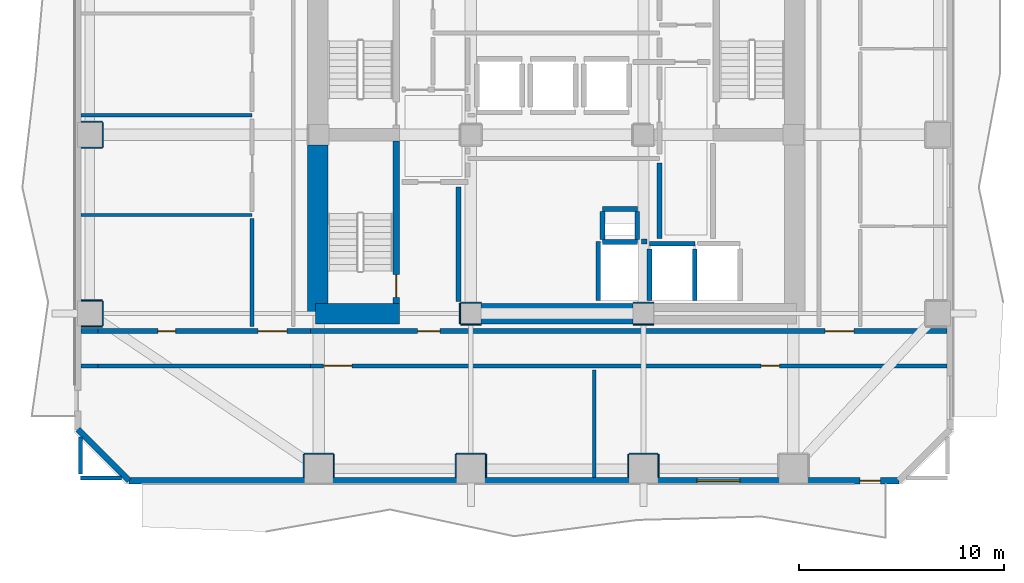
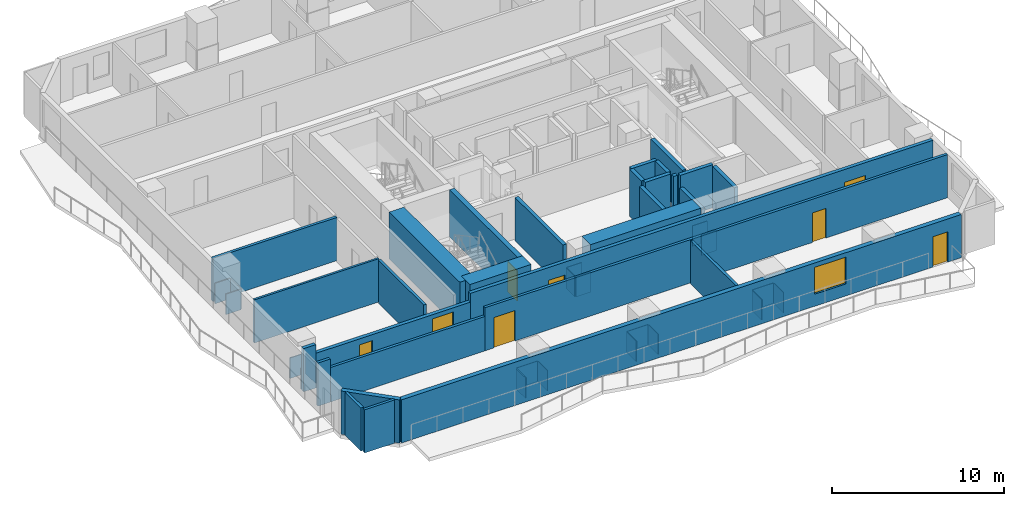
# One storey, part 2 of 10: 49 walls, 8 doors, 1 window, 9 openings.
"""IFC4 building model written with IfcOpenShell, lengths in metres."""

from ifc_helpers import new_model, si_unit, direction, frame, frame_2d, origin, place, context, subcontext, project, spatial, rectangle, extrude, material, layer, layer_set, type_object, element, fill, save


model = new_model("IFC4")

# Units and contexts
model_context = context("Model", 3, precision=1e-05, world=origin(), true_north=direction((0.0, 1.0)))
body_context = subcontext(model_context, "Body", "Model", "MODEL_VIEW")
ifc_project = project(units=[si_unit("LENGTHUNIT", "METRE"), si_unit("AREAUNIT", "SQUARE_METRE"), si_unit("VOLUMEUNIT", "CUBIC_METRE"), si_unit("PLANEANGLEUNIT", "RADIAN"), si_unit("MASSUNIT", "GRAM", prefix="KILO")], contexts=[model_context])

# Site, building, storey
site_placement = place(None, origin())
site = spatial("IfcSite", under=ifc_project, at=site_placement, CompositionType="ELEMENT")
building_placement = place(site_placement, origin())
building = spatial("IfcBuilding", under=site, at=building_placement, Name="Solanera Arch Residences", CompositionType="ELEMENT")
storey_placement = place(building_placement, frame((0.0, 0.0, 92.800048828125)))
storey = spatial("IfcBuildingStorey", under=building, at=storey_placement, Name="L26", CompositionType="ELEMENT", Elevation=92.800048828125)

# Walls
ifc_material_1 = material(Name="Fire-Rated Gypsum Stud Partition", Category="gypsum")
ifc_layer_1 = layer(ifc_material_1, 0.06005859375)
ifc_layer_set_1 = layer_set([ifc_layer_1], Name="Fire-Rated Gypsum Stud Partition")
wall_type_1 = type_object("IfcWallType", Name="Column Acoustic Furring Wall 60", PredefinedType="PARTITIONING", material=ifc_layer_set_1)
for number, where, z_axis, x_axis, name in (
    (1, (20.300048828125, 21.468017578125, 0.0), (0.0, 0.0, 1.0), (1.0, 0.0, 0.0), "L26 Column Furring 1S"),
    (2, (20.300048828125, 22.531982421875, 0.0), (0.0, 0.0, 1.0), (1.0, 0.0, 0.0), "L26 Column Furring 1N"),
    (3, (20.26806640625, 21.5, 0.0), (0.0, 0.0, 1.0), (0.0, 1.0, 0.0), "L26 Column Furring 1W"),
    (4, (28.699951171875, 21.468017578125, 0.0), (0.0, 0.0, 1.0), (1.0, 0.0, 0.0), "L26 Column Furring 2S"),
    (5, (28.699951171875, 22.531982421875, 0.0), (0.0, 0.0, 1.0), (1.0, 0.0, 0.0), "L26 Column Furring 2N"),
):
    element("IfcWall", number, at=place(storey_placement, frame(where, z_axis=z_axis, x_axis=x_axis)), inside=storey, type_object=wall_type_1, Name=name, PredefinedType="PARTITIONING", context=body_context, shape_type="SweptSolid", body=[
        extrude(rectangle(XDim=1.0, YDim=0.06005859375, at=frame_2d((0.5, 0.0))), origin(), (0.0, 0.0, 1.0), 1.449951171875),
    ])
wall_1_placement = place(storey_placement, frame((12.699951171875, 15.181884765625, 0.0), z_axis=(0.0, 0.0, 1.0), x_axis=(1.0, 0.0, 0.0)))
element("IfcWall", 6, at=wall_1_placement, inside=storey, type_object=wall_type_1, Name="L26 Column Furring 9N", PredefinedType="PARTITIONING", context=body_context, shape_type="SweptSolid", body=[
    extrude(rectangle(XDim=1.400146484375, YDim=0.06005859375, at=frame_2d((0.7001953125, 0.0))), origin(), (0.0, 0.0, 1.0), 1.449951171875),
])
for number, where, z_axis, x_axis, name in (
    (7, (12.66796875, 14.030029296875, 0.0), (0.0, 0.0, 1.0), (0.0, 1.0, 0.0), "L26 Column Furring 9W"),
    (8, (14.132080078125, 14.030029296875, 0.0), (0.0, 0.0, 1.0), (0.0, 1.0, 0.0), "L26 Column Furring 9E"),
):
    element("IfcWall", number, at=place(storey_placement, frame(where, z_axis=z_axis, x_axis=x_axis)), inside=storey, type_object=wall_type_1, Name=name, PredefinedType="PARTITIONING", context=body_context, shape_type="SweptSolid", body=[
        extrude(rectangle(XDim=1.119873046875, YDim=0.06005859375, at=frame_2d((0.56005859375, 0.0))), origin(), (0.0, 0.0, 1.0), 1.449951171875),
    ])
wall_2_placement = place(storey_placement, frame((20.10009765625, 15.181884765625, 0.0), z_axis=(0.0, 0.0, 1.0), x_axis=(1.0, 0.0, 0.0)))
element("IfcWall", 9, at=wall_2_placement, inside=storey, type_object=wall_type_1, Name="L26 Column Furring 11N", PredefinedType="PARTITIONING", context=body_context, shape_type="SweptSolid", body=[
    extrude(rectangle(XDim=1.39990234375, YDim=0.06005859375, at=frame_2d((0.699951171875, 0.0))), origin(), (0.0, 0.0, 1.0), 1.449951171875),
])
for number, where, z_axis, x_axis, name in (
    (10, (20.068115234375, 14.030029296875, 0.0), (0.0, 0.0, 1.0), (0.0, 1.0, 0.0), "L26 Column Furring 11W"),
    (11, (21.531982421875, 14.030029296875, 0.0), (0.0, 0.0, 1.0), (0.0, 1.0, 0.0), "L26 Column Furring 11E"),
):
    element("IfcWall", number, at=place(storey_placement, frame(where, z_axis=z_axis, x_axis=x_axis)), inside=storey, type_object=wall_type_1, Name=name, PredefinedType="PARTITIONING", context=body_context, shape_type="SweptSolid", body=[
        extrude(rectangle(XDim=1.119873046875, YDim=0.06005859375, at=frame_2d((0.56005859375, 0.0))), origin(), (0.0, 0.0, 1.0), 1.449951171875),
    ])
wall_3_placement = place(storey_placement, frame((28.5, 15.181884765625, 0.0), z_axis=(0.0, 0.0, 1.0), x_axis=(1.0, 0.0, 0.0)))
element("IfcWall", 12, at=wall_3_placement, inside=storey, type_object=wall_type_1, Name="L26 Column Furring 13N", PredefinedType="PARTITIONING", context=body_context, shape_type="SweptSolid", body=[
    extrude(rectangle(XDim=1.39990234375, YDim=0.06005859375, at=frame_2d((0.699951171875, 0.0))), origin(), (0.0, 0.0, 1.0), 1.449951171875),
])
for number, where, z_axis, x_axis, name in (
    (13, (28.468017578125, 14.030029296875, 0.0), (0.0, 0.0, 1.0), (0.0, 1.0, 0.0), "L26 Column Furring 13W"),
    (14, (29.931884765625, 14.030029296875, 0.0), (0.0, 0.0, 1.0), (0.0, 1.0, 0.0), "L26 Column Furring 13E"),
):
    element("IfcWall", number, at=place(storey_placement, frame(where, z_axis=z_axis, x_axis=x_axis)), inside=storey, type_object=wall_type_1, Name=name, PredefinedType="PARTITIONING", context=body_context, shape_type="SweptSolid", body=[
        extrude(rectangle(XDim=1.119873046875, YDim=0.06005859375, at=frame_2d((0.56005859375, 0.0))), origin(), (0.0, 0.0, 1.0), 1.449951171875),
    ])
for number, where, z_axis, x_axis, name in (
    (15, (1.830078125, 21.367919921875, 0.0), (0.0, 0.0, 1.0), (1.0, 0.0, 0.0), "L26 Column Furring 17S"),
    (16, (1.830078125, 22.632080078125, 0.0), (0.0, 0.0, 1.0), (1.0, 0.0, 0.0), "L26 Column Furring 17N"),
):
    element("IfcWall", number, at=place(storey_placement, frame(where, z_axis=z_axis, x_axis=x_axis)), inside=storey, type_object=wall_type_1, Name=name, PredefinedType="PARTITIONING", context=body_context, shape_type="SweptSolid", body=[
        extrude(rectangle(XDim=1.02001953125, YDim=0.06005859375, at=frame_2d((0.510009765625, 0.0))), origin(), (0.0, 0.0, 1.0), 1.449951171875),
    ])
wall_4_placement = place(storey_placement, frame((2.882080078125, 21.39990234375, 0.0), z_axis=(0.0, 0.0, 1.0), x_axis=(0.0, 1.0, 0.0)))
element("IfcWall", 17, at=wall_4_placement, inside=storey, type_object=wall_type_1, Name="L26 Column Furring 17E", PredefinedType="PARTITIONING", context=body_context, shape_type="SweptSolid", body=[
    extrude(rectangle(XDim=1.2001953125, YDim=0.06005859375, at=frame_2d((0.60009765625, 0.0))), origin(), (0.0, 0.0, 1.0), 1.449951171875),
])
for number, where, z_axis, x_axis, name in (
    (18, (1.830078125, 30.068115234375, 0.0), (0.0, 0.0, 1.0), (1.0, 0.0, 0.0), "L26 Column Furring 19S"),
    (19, (1.830078125, 31.33203125, 0.0), (0.0, 0.0, 1.0), (1.0, 0.0, 0.0), "L26 Column Furring 19N"),
):
    element("IfcWall", number, at=place(storey_placement, frame(where, z_axis=z_axis, x_axis=x_axis)), inside=storey, type_object=wall_type_1, Name=name, PredefinedType="PARTITIONING", context=body_context, shape_type="SweptSolid", body=[
        extrude(rectangle(XDim=1.02001953125, YDim=0.06005859375, at=frame_2d((0.510009765625, 0.0))), origin(), (0.0, 0.0, 1.0), 1.449951171875),
    ])
wall_5_placement = place(storey_placement, frame((2.882080078125, 30.10009765625, 0.0), z_axis=(0.0, 0.0, 1.0), x_axis=(0.0, 1.0, 0.0)))
element("IfcWall", 20, at=wall_5_placement, inside=storey, type_object=wall_type_1, Name="L26 Column Furring 19E", PredefinedType="PARTITIONING", context=body_context, shape_type="SweptSolid", body=[
    extrude(rectangle(XDim=1.199951171875, YDim=0.06005859375, at=frame_2d((0.60009765625, 0.0))), origin(), (0.0, 0.0, 1.0), 1.449951171875),
])
ifc_material_2 = material(Name="Concrete C55/67 (f'c = 60 MPa)", Category="concrete")
ifc_layer_2 = layer(ifc_material_2, 1.0)
ifc_layer_set_2 = layer_set([ifc_layer_2], Name="Concrete C55/67 (f'c = 60 MPa)")
wall_type_2 = type_object("IfcWallType", Name="Core Shear Wall CW-1000", PredefinedType="SHEAR", material=ifc_layer_set_2)
wall_6_placement = place(storey_placement, frame((13.340087890625, 22.0, 0.0), z_axis=(0.0, 0.0, 1.0), x_axis=(0.0, 1.0, 0.0)))
element("IfcWall", 21, at=wall_6_placement, inside=storey, type_object=wall_type_2, Name="L26 West Core South Shear Wall", PredefinedType="SHEAR", context=body_context, shape_type="SweptSolid", body=[
    extrude(rectangle(XDim=8.195068359375, YDim=1.0, at=frame_2d((4.09765625, 0.0))), origin(), (0.0, 0.0, 1.0), 3.320068359375),
])
wall_7_placement = place(storey_placement, frame((13.239990234375, 22.0, 0.0), z_axis=(0.0, 0.0, 1.0), x_axis=(1.0, 0.0, 0.0)))
element("IfcWall", 22, at=wall_7_placement, inside=storey, type_object=wall_type_2, Name="L26 South-West Core Shear Wall", PredefinedType="SHEAR", context=body_context, shape_type="SweptSolid", body=[
    extrude(rectangle(XDim=4.080078125, YDim=1.0, at=frame_2d((2.0400390625, 0.0))), origin(), (0.0, 0.0, 1.0), 3.320068359375),
])
wall_8_placement = place(storey_placement, frame((21.304931640625, 22.0, 0.0), z_axis=(0.0, 0.0, 1.0), x_axis=(1.0, 0.0, 0.0)))
element("IfcWall", 23, at=wall_8_placement, inside=storey, type_object=wall_type_2, Name="L26 Central South Core Shear Wall", PredefinedType="SHEAR", context=body_context, shape_type="SweptSolid", body=[
    extrude(rectangle(XDim=7.39013671875, YDim=1.0, at=frame_2d((3.695068359375, 0.0))), origin(), (0.0, 0.0, 1.0), 3.320068359375),
])

# Wall, opening, door
ifc_material_3 = material(Name="Concrete C40/50 (f'c = 45 MPa)", Category="concrete")
ifc_layer_3 = layer(ifc_material_3, 0.320068359375)
ifc_layer_set_3 = layer_set([ifc_layer_3], Name="Concrete C40/50 (f'c = 45 MPa)")
wall_type_3 = type_object("IfcWallType", Name="Core Shear Wall CW-320", PredefinedType="SHEAR", material=ifc_layer_set_3)
wall_9_placement = place(storey_placement, frame((17.159912109375, 22.5, 0.0), z_axis=(0.0, 0.0, 1.0), x_axis=(0.0, 1.0, 0.0)))
wall_9 = element("IfcWall", 24, at=wall_9_placement, inside=storey, type_object=wall_type_3, Name="L26 Stair ST-T3 East Shear Wall", PredefinedType="SHEAR", context=body_context, shape_type="SweptSolid", body=[
    extrude(rectangle(XDim=7.89990234375, YDim=0.320068359375, at=frame_2d((3.949951171875, 0.0))), origin(), (0.0, 0.0, 1.0), 3.320068359375),
])
opening_1_placement = place(wall_9_placement, frame((0.2900390625, 0.0, 0.0)))
opening_1 = element("IfcOpeningElement", 25, at=opening_1_placement, cuts=wall_9, Name="Opening DF-01", PredefinedType="OPENING", context=body_context, shape_type="SweptSolid", body=[
    extrude(rectangle(XDim=1.10009765625, YDim=2.14990234375, at=frame_2d((0.550048828125, 1.074951171875))), frame((0.0, 0.169921875, 0.0), z_axis=(0.0, -1.0, 0.0), x_axis=(1.0, 0.0, 0.0)), (0.0, 0.0, 1.0), 0.3401),
])
ifc_material_4 = material(Name="Fire-Rated Architectural Hardwood", Category="wood")
door_type_1 = type_object("IfcDoorType", Name="Stair Exit Fire Door DF-01", OperationType="NOTDEFINED", PredefinedType="DOOR", material=ifc_material_4)
door_1_placement = place(opening_1_placement, origin())
door_1 = element("IfcDoor", 26, at=door_1_placement, inside=storey, type_object=door_type_1, Name="DR-L26-STAIR-ST-T3", OperationType="SINGLE_SWING_RIGHT", OverallHeight=2.14990234375, OverallWidth=1.10009765625, PredefinedType="DOOR", context=body_context, shape_type="SweptSolid", body=[
    extrude(rectangle(XDim=1.10009765625, YDim=2.14990234375, at=frame_2d((0.550048828125, 1.074951171875))), frame((0.0, 0.02490234375, 0.0), z_axis=(0.0, -1.0, 0.0), x_axis=(1.0, 0.0, 0.0)), (0.0, 0.0, 1.0), 0.050048828125),
])
fill(opening_1, door_1)

# Walls
ifc_material_5 = material(Name="Autoclaved Aerated Concrete Blockwork", Category="masonry")
ifc_layer_4 = layer(ifc_material_5, 0.179931640625)
ifc_layer_set_4 = layer_set([ifc_layer_4], Name="Autoclaved Aerated Concrete Blockwork")
wall_type_4 = type_object("IfcWallType", Name="Corridor Fire Partition 180", PredefinedType="PARTITIONING", material=ifc_layer_set_4)
wall_10_placement = place(storey_placement, frame((1.800048828125, 14.0, 0.0), z_axis=(0.0, 0.0, 1.0), x_axis=(1.0, 0.0, 0.0)))
element("IfcWall", 27, at=wall_10_placement, inside=storey, type_object=wall_type_4, Name="L26 Interior Partition H7 1", PredefinedType="PARTITIONING", context=body_context, shape_type="SweptSolid", body=[
    extrude(rectangle(XDim=2.0009765625, YDim=0.179931640625, at=frame_2d((1.00048828125, 0.0))), origin(), (0.0, 0.0, 1.0), 3.06005859375),
])
wall_11_placement = place(storey_placement, frame((1.826904296875, 19.449951171875, 0.0), z_axis=(0.0, 0.0, 1.0), x_axis=(1.0, 0.0, 0.0)))
element("IfcWall", 28, at=wall_11_placement, inside=storey, type_object=wall_type_4, Name="L26 Interior Partition H8 1", PredefinedType="PARTITIONING", context=body_context, shape_type="SweptSolid", body=[
    extrude(rectangle(XDim=0.830078125, YDim=0.179931640625, at=frame_2d((0.4150390625, 0.0))), origin(), (0.0, 0.0, 1.0), 3.06005859375),
])
wall_12_placement = place(storey_placement, frame((2.656982421875, 19.449951171875, 0.0), z_axis=(0.0, 0.0, 1.0), x_axis=(1.0, 0.0, 0.0)))
element("IfcWall", 29, at=wall_12_placement, inside=storey, type_object=wall_type_4, Name="L26 Interior Partition H8 2", PredefinedType="PARTITIONING", context=body_context, shape_type="SweptSolid", body=[
    extrude(rectangle(XDim=10.3359375, YDim=0.179931640625, at=frame_2d((5.16796875, 0.0))), origin(), (0.0, 0.0, 1.0), 2.445068359375),
])

# Wall, openings, doors
wall_13_placement = place(storey_placement, frame((12.992919921875, 19.449951171875, 0.0), z_axis=(0.0, 0.0, 1.0), x_axis=(1.0, 0.0, 0.0)))
wall_13 = element("IfcWall", 30, at=wall_13_placement, inside=storey, type_object=wall_type_4, Name="L26 Interior Partition H8 3", PredefinedType="PARTITIONING", context=body_context, shape_type="SweptSolid", body=[
    extrude(rectangle(XDim=30.97998046875, YDim=0.179931640625, at=frame_2d((15.489990234375, 0.0))), origin(), (0.0, 0.0, 1.0), 3.06005859375),
])
opening_2_placement = place(wall_13_placement, frame((0.632080078125, 0.0, 0.0)))
opening_2 = element("IfcOpeningElement", 31, at=opening_2_placement, cuts=wall_13, Name="Opening DF-03", PredefinedType="OPENING", context=body_context, shape_type="SweptSolid", body=[
    extrude(rectangle(XDim=1.39990234375, YDim=2.14990234375, at=frame_2d((0.699951171875, 1.074951171875))), frame((0.0, 0.10009765625, 0.0), z_axis=(0.0, -1.0, 0.0), x_axis=(1.0, 0.0, 0.0)), (0.0, 0.0, 1.0), 0.1999),
])
opening_3_placement = place(wall_13_placement, frame((21.93310546875, 0.0, 0.0)))
opening_3 = element("IfcOpeningElement", 32, at=opening_3_placement, cuts=wall_13, Name="Opening DI-02", PredefinedType="OPENING", context=body_context, shape_type="SweptSolid", body=[
    extrude(rectangle(XDim=0.89990234375, YDim=2.10009765625, at=frame_2d((0.449951171875, 1.050048828125))), frame((0.0, 0.10009765625, 0.0), z_axis=(0.0, -1.0, 0.0), x_axis=(1.0, 0.0, 0.0)), (0.0, 0.0, 1.0), 0.1999),
])
ifc_material_6 = material(Name="Fire-Rated Architectural Hardwood", Category="wood")
door_type_2 = type_object("IfcDoorType", Name="Corridor Smoke Door DF-03", OperationType="NOTDEFINED", PredefinedType="DOOR", material=ifc_material_6)
door_2_placement = place(opening_2_placement, origin())
door_2 = element("IfcDoor", 33, at=door_2_placement, inside=storey, type_object=door_type_2, Name="DR-L26-IN-012", OperationType="SINGLE_SWING_LEFT", OverallHeight=2.14990234375, OverallWidth=1.39990234375, PredefinedType="DOOR", context=body_context, shape_type="SweptSolid", body=[
    extrude(rectangle(XDim=1.39990234375, YDim=2.14990234375, at=frame_2d((0.699951171875, 1.074951171875))), frame((0.0, 0.02490234375, 0.0), z_axis=(0.0, -1.0, 0.0), x_axis=(1.0, 0.0, 0.0)), (0.0, 0.0, 1.0), 0.050048828125),
])
fill(opening_2, door_2)
ifc_material_7 = material(Name="Fire-Rated Architectural Hardwood", Category="wood")
door_type_3 = type_object("IfcDoorType", Name="Suite Room Swing Door DI-02", OperationType="NOTDEFINED", PredefinedType="DOOR", material=ifc_material_7)
door_3_placement = place(opening_3_placement, origin())
door_3 = element("IfcDoor", 34, at=door_3_placement, inside=storey, type_object=door_type_3, Name="DR-L26-IN-018", OperationType="SINGLE_SWING_LEFT", OverallHeight=2.10009765625, OverallWidth=0.89990234375, PredefinedType="DOOR", context=body_context, shape_type="SweptSolid", body=[
    extrude(rectangle(XDim=0.89990234375, YDim=2.10009765625, at=frame_2d((0.449951171875, 1.050048828125))), frame((0.0, 0.02490234375, 0.0), z_axis=(0.0, -1.0, 0.0), x_axis=(1.0, 0.0, 0.0)), (0.0, 0.0, 1.0), 0.050048828125),
])
fill(opening_3, door_3)

# Walls
wall_14_placement = place(storey_placement, frame((1.826904296875, 31.64990234375, 0.0), z_axis=(0.0, 0.0, 1.0), x_axis=(1.0, 0.0, 0.0)))
element("IfcWall", 35, at=wall_14_placement, inside=storey, type_object=wall_type_4, Name="L26 Interior Partition H10", PredefinedType="PARTITIONING", context=body_context, shape_type="SweptSolid", body=[
    extrude(rectangle(XDim=8.322998046875, YDim=0.179931640625, at=frame_2d((4.16162109375, 0.0))), origin(), (0.0, 0.0, 1.0), 3.06005859375),
])
wall_15_placement = place(storey_placement, frame((1.800048828125, 14.18798828125, 0.0), z_axis=(0.0, 0.0, 1.0), x_axis=(0.0, 1.0, 0.0)))
element("IfcWall", 36, at=wall_15_placement, inside=storey, type_object=wall_type_4, Name="L26 Interior Partition V7 1", PredefinedType="PARTITIONING", context=body_context, shape_type="SweptSolid", body=[
    extrude(rectangle(XDim=1.81298828125, YDim=0.179931640625, at=frame_2d((0.906494140625, 0.0))), origin(), (0.0, 0.0, 1.0), 3.06005859375),
])
wall_16_placement = place(storey_placement, frame((10.14990234375, 21.367919921875, 0.0), z_axis=(0.0, 0.0, 1.0), x_axis=(0.0, 1.0, 0.0)))
element("IfcWall", 37, at=wall_16_placement, inside=storey, type_object=wall_type_4, Name="L26 Interior Partition V8 1", PredefinedType="PARTITIONING", context=body_context, shape_type="SweptSolid", body=[
    extrude(rectangle(XDim=5.26416015625, YDim=0.179931640625, at=frame_2d((2.632080078125, 0.0))), origin(), (0.0, 0.0, 1.0), 3.06005859375),
])
wall_17_placement = place(storey_placement, frame((26.800048828125, 14.027099609375, 0.0), z_axis=(0.0, 0.0, 1.0), x_axis=(0.0, 1.0, 0.0)))
element("IfcWall", 38, at=wall_17_placement, inside=storey, type_object=wall_type_4, Name="L26 Interior Partition V10", PredefinedType="PARTITIONING", context=body_context, shape_type="SweptSolid", body=[
    extrude(rectangle(XDim=5.23486328125, YDim=0.179931640625, at=frame_2d((2.617431640625, 0.0))), origin(), (0.0, 0.0, 1.0), 3.06005859375),
])

# Wall, openings, door, window
ifc_material_8 = material(Name="Precast Concrete C35/45", Category="concrete")
ifc_layer_5 = layer(ifc_material_8, 0.300048828125)
ifc_layer_set_5 = layer_set([ifc_layer_5], Name="Precast Concrete C35/45")
wall_type_5 = type_object("IfcWallType", Name="Exterior Wall Precast Masonry-Frame 300", PredefinedType="STANDARD", material=ifc_layer_set_5)
wall_18_placement = place(storey_placement, frame((41.635009765625, 13.864990234375, 0.0), z_axis=(0.0, 0.0, 1.0), x_axis=(-1.0, 0.0, 0.0)))
wall_18 = element("IfcWall", 39, at=wall_18_placement, inside=storey, type_object=wall_type_5, Name="L26 Tower Exterior Precast Masonry-Frame Wall S", PredefinedType="STANDARD", context=body_context, shape_type="SweptSolid", body=[
    extrude(rectangle(XDim=37.469970703125, YDim=0.300048828125, at=frame_2d((18.73486328125, 0.0))), origin(), (0.0, 0.0, 1.0), 3.06005859375),
])
opening_4_placement = place(wall_18_placement, frame((0.90087890625, 0.0, 0.0)))
opening_4 = element("IfcOpeningElement", 40, at=opening_4_placement, cuts=wall_18, Name="Opening DB-01", PredefinedType="OPENING", context=body_context, shape_type="SweptSolid", body=[
    extrude(rectangle(XDim=1.0, YDim=2.14990234375, at=frame_2d((0.5, 1.074951171875))), frame((0.0, 0.159912109375, 0.0), z_axis=(0.0, -1.0, 0.0), x_axis=(1.0, 0.0, 0.0)), (0.0, 0.0, 1.0), 0.32),
])
opening_5_placement = place(wall_18_placement, frame((7.735107421875, 0.0, 0.85009765625)))
opening_5 = element("IfcOpeningElement", 41, at=opening_5_placement, cuts=wall_18, Name="Opening W-04", PredefinedType="OPENING", context=body_context, shape_type="SweptSolid", body=[
    extrude(rectangle(XDim=2.10009765625, YDim=1.89990234375, at=frame_2d((1.050048828125, 0.949951171875))), frame((0.0, 0.159912109375, 0.0), z_axis=(0.0, -1.0, 0.0), x_axis=(1.0, 0.0, 0.0)), (0.0, 0.0, 1.0), 0.32),
])
ifc_material_9 = material(Name="Anodised Aluminium Alloy 6063-T6", Category="aluminium")
door_type_4 = type_object("IfcDoorType", Name="Glazed Balcony Swing Door DB-01", OperationType="NOTDEFINED", PredefinedType="DOOR", material=ifc_material_9)
door_4_placement = place(opening_4_placement, origin())
door_4 = element("IfcDoor", 42, at=door_4_placement, inside=storey, type_object=door_type_4, Name="DR-L26-OUT-01", OperationType="SINGLE_SWING_RIGHT", OverallHeight=2.14990234375, OverallWidth=1.0, PredefinedType="DOOR", context=body_context, shape_type="SweptSolid", body=[
    extrude(rectangle(XDim=1.0, YDim=2.14990234375, at=frame_2d((0.5, 1.074951171875))), frame((0.0, 0.02490234375, 0.0), z_axis=(0.0, -1.0, 0.0), x_axis=(1.0, 0.0, 0.0)), (0.0, 0.0, 1.0), 0.050048828125),
])
fill(opening_4, door_4)
ifc_material_10 = material(Name="Double Glazed Low-E Laminated Glass", Category="glass")
window_type = type_object("IfcWindowType", Name="Punched Window W-04", PartitioningType="DOUBLE_PANEL_VERTICAL", PredefinedType="WINDOW", material=ifc_material_10)
window_placement = place(opening_5_placement, origin())
window = element("IfcWindow", 43, at=window_placement, inside=storey, type_object=window_type, Name="L26 SKYCOW Punched Window", OverallHeight=1.89990234375, OverallWidth=2.10009765625, PartitioningType="SINGLE_PANEL", PredefinedType="WINDOW", context=body_context, shape_type="SweptSolid", body=[
    extrude(rectangle(XDim=2.10009765625, YDim=1.89990234375, at=frame_2d((1.050048828125, 0.949951171875))), frame((0.0, 0.030029296875, 0.0), z_axis=(0.0, -1.0, 0.0), x_axis=(1.0, 0.0, 0.0)), (0.0, 0.0, 1.0), 0.06005859375),
])
fill(opening_5, window)

# Walls
wall_19_placement = place(storey_placement, frame((4.1650390625, 13.864990234375, 0.0), z_axis=(0.0, 0.0, 1.0), x_axis=(-0.707106781187, 0.707106781187, 0.0)))
element("IfcWall", 44, at=wall_19_placement, inside=storey, type_object=wall_type_5, Name="L26 Tower Exterior Precast Masonry-Frame Wall CH7", PredefinedType="STANDARD", context=body_context, shape_type="SweptSolid", body=[
    extrude(rectangle(XDim=3.53564453125, YDim=0.300048828125, at=frame_2d((1.767822265625, 0.0))), origin(), (0.0, 0.0, 1.0), 3.06005859375),
])
ifc_material_11 = material(Name="Concrete C40/50 (f'c = 45 MPa)", Category="concrete")
ifc_layer_6 = layer(ifc_material_11, 0.239990234375)
ifc_layer_set_6 = layer_set([ifc_layer_6], Name="Concrete C40/50 (f'c = 45 MPa)")
wall_type_6 = type_object("IfcWallType", Name="Ramp Bearing Shear Wall RW-240", PredefinedType="SHEAR", material=ifc_layer_set_6)
for number, where, z_axis, x_axis, name in (
    (45, (27.199951171875, 25.47998046875, 0.0), (0.0, 0.0, 1.0), (1.0, 0.0, 0.0), "L26 Core MEP Riser South Shaft Wall"),
    (46, (27.199951171875, 27.080078125, 0.0), (0.0, 0.0, 1.0), (1.0, 0.0, 0.0), "L26 Core MEP Riser North Shaft Wall"),
):
    element("IfcWall", number, at=place(storey_placement, frame(where, z_axis=z_axis, x_axis=x_axis)), inside=storey, type_object=wall_type_6, Name=name, PredefinedType="SHEAR", context=body_context, shape_type="SweptSolid", body=[
        extrude(rectangle(XDim=1.699951171875, YDim=0.239990234375, at=frame_2d((0.85009765625, 0.0))), origin(), (0.0, 0.0, 1.0), 3.320068359375),
    ])
for number, where, z_axis, x_axis, name in (
    (47, (27.199951171875, 25.60009765625, 0.0), (0.0, 0.0, 1.0), (0.0, 1.0, 0.0), "L26 Core MEP Riser West Shaft Wall"),
    (48, (28.89990234375, 25.60009765625, 0.0), (0.0, 0.0, 1.0), (0.0, 1.0, 0.0), "L26 Core MEP Riser East Shaft Wall"),
):
    element("IfcWall", number, at=place(storey_placement, frame(where, z_axis=z_axis, x_axis=x_axis)), inside=storey, type_object=wall_type_6, Name=name, PredefinedType="SHEAR", context=body_context, shape_type="SweptSolid", body=[
        extrude(rectangle(XDim=1.35986328125, YDim=0.239990234375, at=frame_2d((0.679931640625, 0.0))), origin(), (0.0, 0.0, 1.0), 3.320068359375),
    ])
ifc_material_12 = material(Name="Autoclaved Aerated Concrete Blockwork", Category="masonry")
ifc_layer_7 = layer(ifc_material_12, 0.239990234375)
ifc_layer_set_7 = layer_set([ifc_layer_7], Name="Autoclaved Aerated Concrete Blockwork")
wall_type_7 = type_object("IfcWallType", Name="Shaft Wall Fire-Rated 240", PredefinedType="PARTITIONING", material=ifc_layer_set_7)
wall_20_placement = place(storey_placement, frame((29.5, 25.39990234375, 0.0), z_axis=(0.0, 0.0, 1.0), x_axis=(1.0, 0.0, 0.0)))
element("IfcWall", 49, at=wall_20_placement, inside=storey, type_object=wall_type_7, Name="L26 Lift FFL-1 Hoistway Wall N", PredefinedType="PARTITIONING", context=body_context, shape_type="SweptSolid", body=[
    extrude(rectangle(XDim=2.199951171875, YDim=0.239990234375, at=frame_2d((1.10009765625, 0.0))), origin(), (0.0, 0.0, 1.0), 3.06005859375),
])
wall_21_placement = place(storey_placement, frame((29.5, 22.632080078125, 0.0), z_axis=(0.0, 0.0, 1.0), x_axis=(0.0, 1.0, 0.0)))
element("IfcWall", 50, at=wall_21_placement, inside=storey, type_object=wall_type_7, Name="L26 Lift FFL-1 Hoistway Wall W", PredefinedType="PARTITIONING", context=body_context, shape_type="SweptSolid", body=[
    extrude(rectangle(XDim=2.52001953125, YDim=0.239990234375, at=frame_2d((1.260009765625, 0.0))), origin(), (0.0, 0.0, 1.0), 2.294921875),
])
wall_22_placement = place(storey_placement, frame((31.699951171875, 22.6298828125, 0.0), z_axis=(0.0, 0.0, 1.0), x_axis=(0.0, 1.0, 0.0)))
element("IfcWall", 51, at=wall_22_placement, inside=storey, type_object=wall_type_7, Name="L26 Lift FFL-1 Hoistway Wall E", PredefinedType="PARTITIONING", context=body_context, shape_type="SweptSolid", body=[
    extrude(rectangle(XDim=2.522216796875, YDim=0.239990234375, at=frame_2d((1.26123046875, 0.0))), origin(), (0.0, 0.0, 1.0), 3.06005859375),
])
wall_23_placement = place(storey_placement, frame((29.10302734375, 25.5, 0.0), z_axis=(0.0, 0.0, 1.0), x_axis=(1.0, 0.0, 0.0)))
element("IfcWall", 52, at=wall_23_placement, inside=storey, type_object=wall_type_7, Name="L26 Lift SVL-1 Hoistway Wall N", PredefinedType="PARTITIONING", context=body_context, shape_type="SweptSolid", body=[
    extrude(rectangle(XDim=0.26904296875, YDim=0.239990234375, at=frame_2d((0.134521484375, 0.0))), origin(), (0.0, 0.0, 1.0), 3.06005859375),
])
wall_24_placement = place(storey_placement, frame((27.0, 22.6298828125, 0.0), z_axis=(0.0, 0.0, 1.0), x_axis=(0.0, 1.0, 0.0)))
element("IfcWall", 53, at=wall_24_placement, inside=storey, type_object=wall_type_7, Name="L26 Lift SVL-1 Hoistway Wall W", PredefinedType="PARTITIONING", context=body_context, shape_type="SweptSolid", body=[
    extrude(rectangle(XDim=2.8681640625, YDim=0.239990234375, at=frame_2d((1.43408203125, 0.0))), origin(), (0.0, 0.0, 1.0), 3.06005859375),
])
wall_25_placement = place(storey_placement, frame((1.826904296875, 21.14990234375, 0.0), z_axis=(0.0, 0.0, 1.0), x_axis=(1.0, 0.0, 0.0)))
element("IfcWall", 54, at=wall_25_placement, inside=storey, type_object=wall_type_7, Name="L26 Interior Partition H1 1", PredefinedType="PARTITIONING", context=body_context, shape_type="SweptSolid", body=[
    extrude(rectangle(XDim=0.830078125, YDim=0.239990234375, at=frame_2d((0.4150390625, 0.0))), origin(), (0.0, 0.0, 1.0), 3.06005859375),
])

# Wall, openings, doors
wall_26_placement = place(storey_placement, frame((2.656982421875, 21.14990234375, 0.0), z_axis=(0.0, 0.0, 1.0), x_axis=(1.0, 0.0, 0.0)))
wall_26 = element("IfcWall", 55, at=wall_26_placement, inside=storey, type_object=wall_type_7, Name="L26 Interior Partition H1 2", PredefinedType="PARTITIONING", context=body_context, shape_type="SweptSolid", body=[
    extrude(rectangle(XDim=10.3359375, YDim=0.239990234375, at=frame_2d((5.16796875, 0.0))), origin(), (0.0, 0.0, 1.0), 2.445068359375),
])
opening_6_placement = place(wall_26_placement, frame((7.79296875, 0.0, 0.0)))
opening_6 = element("IfcOpeningElement", 56, at=opening_6_placement, cuts=wall_26, Name="Opening DF-03", PredefinedType="OPENING", context=body_context, shape_type="SweptSolid", body=[
    extrude(rectangle(XDim=1.39990234375, YDim=2.14990234375, at=frame_2d((0.699951171875, 1.074951171875))), frame((0.0, 0.1298828125, 0.0), z_axis=(0.0, -1.0, 0.0), x_axis=(1.0, 0.0, 0.0)), (0.0, 0.0, 1.0), 0.26),
])
opening_7_placement = place(wall_26_placement, frame((2.912109375, 0.0, 0.0)))
opening_7 = element("IfcOpeningElement", 57, at=opening_7_placement, cuts=wall_26, Name="Opening DI-05", PredefinedType="OPENING", context=body_context, shape_type="SweptSolid", body=[
    extrude(rectangle(XDim=0.860107421875, YDim=2.02001953125, at=frame_2d((0.43017578125, 1.010009765625))), frame((0.0, 0.1298828125, 0.0), z_axis=(0.0, -1.0, 0.0), x_axis=(1.0, 0.0, 0.0)), (0.0, 0.0, 1.0), 0.26),
])
ifc_material_13 = material(Name="Fire-Rated Architectural Hardwood", Category="wood")
door_type_5 = type_object("IfcDoorType", Name="Bathroom Swing Door DI-05", OperationType="NOTDEFINED", PredefinedType="DOOR", material=ifc_material_13)
door_5_placement = place(opening_7_placement, origin())
door_5 = element("IfcDoor", 58, at=door_5_placement, inside=storey, type_object=door_type_5, Name="DR-L26-IN-019", OperationType="SINGLE_SWING_RIGHT", OverallHeight=2.02001953125, OverallWidth=0.860107421875, PredefinedType="DOOR", context=body_context, shape_type="SweptSolid", body=[
    extrude(rectangle(XDim=0.860107421875, YDim=2.02001953125, at=frame_2d((0.43017578125, 1.010009765625))), frame((0.0, 0.02490234375, 0.0), z_axis=(0.0, -1.0, 0.0), x_axis=(1.0, 0.0, 0.0)), (0.0, 0.0, 1.0), 0.050048828125),
])
fill(opening_7, door_5)
door_6_placement = place(opening_6_placement, origin())
door_6 = element("IfcDoor", 59, at=door_6_placement, inside=storey, type_object=door_type_2, Name="DR-L26-IN-010", OperationType="SINGLE_SWING_LEFT", OverallHeight=2.14990234375, OverallWidth=1.39990234375, PredefinedType="DOOR", context=body_context, shape_type="SweptSolid", body=[
    extrude(rectangle(XDim=1.39990234375, YDim=2.14990234375, at=frame_2d((0.699951171875, 1.074951171875))), frame((0.0, 0.02490234375, 0.0), z_axis=(0.0, -1.0, 0.0), x_axis=(1.0, 0.0, 0.0)), (0.0, 0.0, 1.0), 0.050048828125),
])
fill(opening_6, door_6)

wall_27_placement = place(storey_placement, frame((12.992919921875, 21.14990234375, 0.0), z_axis=(0.0, 0.0, 1.0), x_axis=(1.0, 0.0, 0.0)))
wall_27 = element("IfcWall", 60, at=wall_27_placement, inside=storey, type_object=wall_type_7, Name="L26 Interior Partition H1 3", PredefinedType="PARTITIONING", context=body_context, shape_type="SweptSolid", body=[
    extrude(rectangle(XDim=30.97998046875, YDim=0.239990234375, at=frame_2d((15.489990234375, 0.0))), origin(), (0.0, 0.0, 1.0), 3.06005859375),
])
opening_8_placement = place(wall_27_placement, frame((5.217041015625, 0.0, 0.0)))
opening_8 = element("IfcOpeningElement", 61, at=opening_8_placement, cuts=wall_27, Name="Opening DF-02", PredefinedType="OPENING", context=body_context, shape_type="SweptSolid", body=[
    extrude(rectangle(XDim=1.10009765625, YDim=2.14990234375, at=frame_2d((0.550048828125, 1.074951171875))), frame((0.0, 0.1298828125, 0.0), z_axis=(0.0, -1.0, 0.0), x_axis=(1.0, 0.0, 0.0)), (0.0, 0.0, 1.0), 0.26),
])
opening_9_placement = place(wall_27_placement, frame((25.056884765625, 0.0, 0.0)))
opening_9 = element("IfcOpeningElement", 62, at=opening_9_placement, cuts=wall_27, Name="Opening DF-03", PredefinedType="OPENING", context=body_context, shape_type="SweptSolid", body=[
    extrude(rectangle(XDim=1.39990234375, YDim=2.14990234375, at=frame_2d((0.699951171875, 1.074951171875))), frame((0.0, 0.1298828125, 0.0), z_axis=(0.0, -1.0, 0.0), x_axis=(1.0, 0.0, 0.0)), (0.0, 0.0, 1.0), 0.26),
])
door_7_placement = place(opening_9_placement, origin())
door_7 = element("IfcDoor", 63, at=door_7_placement, inside=storey, type_object=door_type_2, Name="DR-L26-IN-011", OperationType="SINGLE_SWING_RIGHT", OverallHeight=2.14990234375, OverallWidth=1.39990234375, PredefinedType="DOOR", context=body_context, shape_type="SweptSolid", body=[
    extrude(rectangle(XDim=1.39990234375, YDim=2.14990234375, at=frame_2d((0.699951171875, 1.074951171875))), frame((0.0, 0.02490234375, 0.0), z_axis=(0.0, -1.0, 0.0), x_axis=(1.0, 0.0, 0.0)), (0.0, 0.0, 1.0), 0.050048828125),
])
fill(opening_9, door_7)
ifc_material_14 = material(Name="Fire-Rated Architectural Hardwood", Category="wood")
door_type_6 = type_object("IfcDoorType", Name="Firefighting Lobby Fire Door DF-02", OperationType="NOTDEFINED", PredefinedType="DOOR", material=ifc_material_14)
door_8_placement = place(opening_8_placement, origin())
door_8 = element("IfcDoor", 64, at=door_8_placement, inside=storey, type_object=door_type_6, Name="DR-L26-IN-008", OperationType="SINGLE_SWING_LEFT", OverallHeight=2.14990234375, OverallWidth=1.10009765625, PredefinedType="DOOR", context=body_context, shape_type="SweptSolid", body=[
    extrude(rectangle(XDim=1.10009765625, YDim=2.14990234375, at=frame_2d((0.550048828125, 1.074951171875))), frame((0.0, 0.02490234375, 0.0), z_axis=(0.0, -1.0, 0.0), x_axis=(1.0, 0.0, 0.0)), (0.0, 0.0, 1.0), 0.050048828125),
])
fill(opening_8, door_8)

# Walls
wall_28_placement = place(storey_placement, frame((20.199951171875, 22.5859375, 0.0), z_axis=(0.0, 0.0, 1.0), x_axis=(0.0, 1.0, 0.0)))
element("IfcWall", 65, at=wall_28_placement, inside=storey, type_object=wall_type_7, Name="L26 Interior Partition V2", PredefinedType="PARTITIONING", context=body_context, shape_type="SweptSolid", body=[
    extrude(rectangle(XDim=5.566162109375, YDim=0.239990234375, at=frame_2d((2.783203125, 0.0))), origin(), (0.0, 0.0, 1.0), 3.06005859375),
])
wall_29_placement = place(storey_placement, frame((29.97509765625, 25.64794921875, 0.0), z_axis=(0.0, 0.0, 1.0), x_axis=(0.0, 1.0, 0.0)))
element("IfcWall", 66, at=wall_29_placement, inside=storey, type_object=wall_type_7, Name="L26 Interior Partition V4 1", PredefinedType="PARTITIONING", context=body_context, shape_type="SweptSolid", body=[
    extrude(rectangle(XDim=3.68408203125, YDim=0.239990234375, at=frame_2d((1.842041015625, 0.0))), origin(), (0.0, 0.0, 1.0), 3.06005859375),
])
ifc_material_15 = material(Name="Autoclaved Aerated Concrete Blockwork", Category="masonry")
ifc_layer_8 = layer(ifc_material_15, 0.139892578125)
ifc_layer_set_8 = layer_set([ifc_layer_8], Name="Autoclaved Aerated Concrete Blockwork")
wall_type_8 = type_object("IfcWallType", Name="Wet-Room Partition 140", PredefinedType="PARTITIONING", material=ifc_layer_set_8)
wall_30_placement = place(storey_placement, frame((1.826904296875, 26.800048828125, 0.0), z_axis=(0.0, 0.0, 1.0), x_axis=(1.0, 0.0, 0.0)))
element("IfcWall", 67, at=wall_30_placement, inside=storey, type_object=wall_type_8, Name="L26 Interior Partition H16", PredefinedType="PARTITIONING", context=body_context, shape_type="SweptSolid", body=[
    extrude(rectangle(XDim=8.322998046875, YDim=0.139892578125, at=frame_2d((4.16162109375, 0.0))), origin(), (0.0, 0.0, 1.0), 3.06005859375),
])

save(model, "model.ifc")
